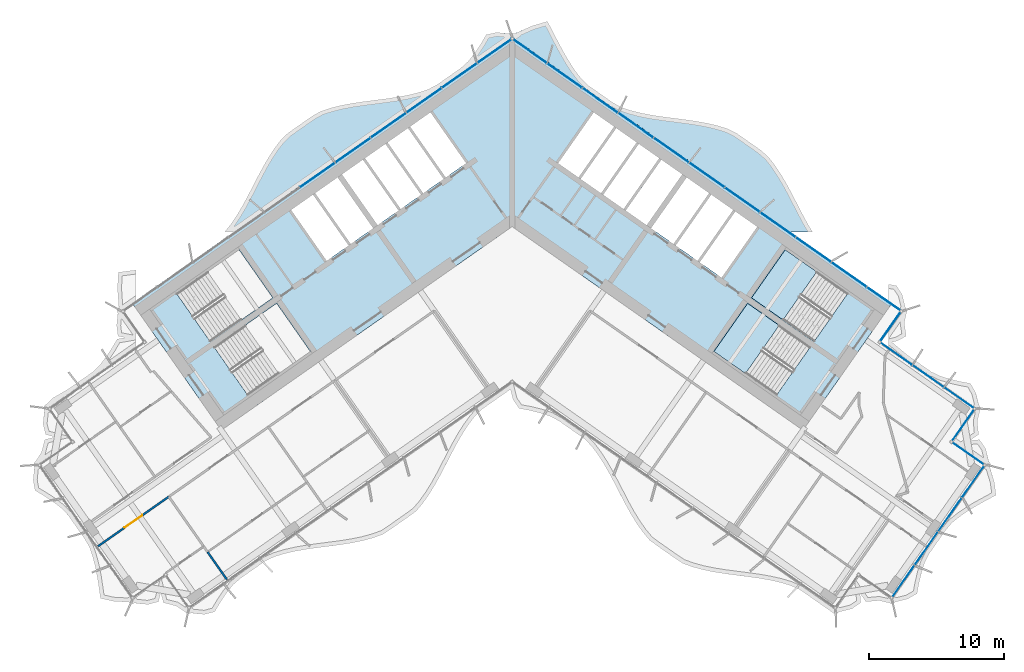
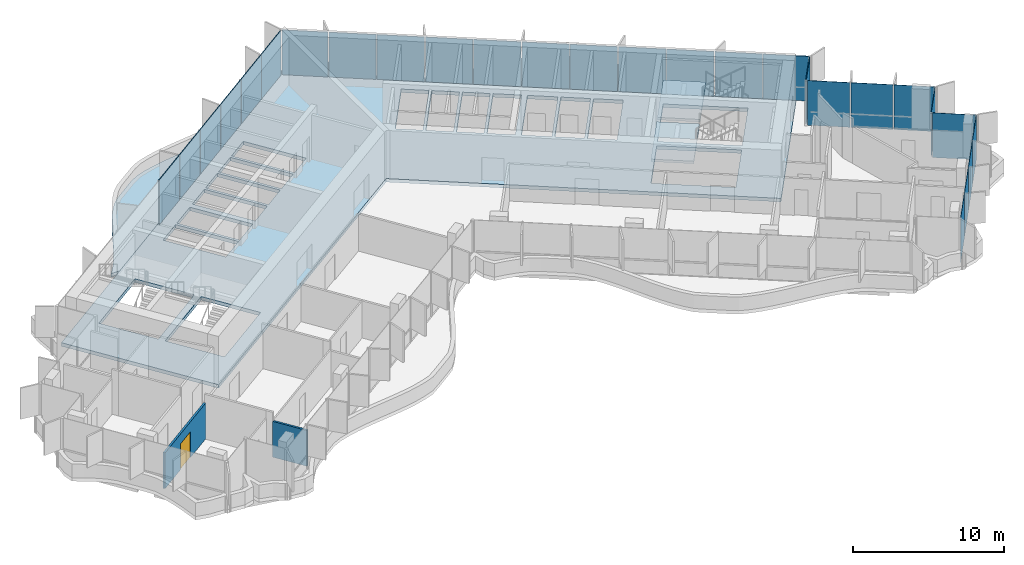
# One storey, part 11 of 21: 27 plates, 4 slabs, 2 walls, 1 door, 1 opening, 4 elements without a shape of their own.
"""IFC4 building model written with IfcOpenShell, lengths in metres."""

from ifc_helpers import new_model, si_unit, direction, frame, frame_2d, origin, origin_2d, place, context, subcontext, project, spatial, polyline, rectangle, outline, extrude, material, layer, layer_set, type_object, element, fill, aggregate, save


model = new_model("IFC4")

# Units and contexts
model_context = context("Model", 3, precision=1e-05, world=origin(), true_north=direction((0.0, 1.0)))
body_context = subcontext(model_context, "Body", "Model", "MODEL_VIEW")
ifc_project = project(units=[si_unit("LENGTHUNIT", "METRE"), si_unit("AREAUNIT", "SQUARE_METRE"), si_unit("VOLUMEUNIT", "CUBIC_METRE"), si_unit("PLANEANGLEUNIT", "RADIAN"), si_unit("MASSUNIT", "GRAM", prefix="KILO")], contexts=[model_context])

# Site, building, storey
site_placement = place(None, origin())
site = spatial("IfcSite", under=ifc_project, at=site_placement, CompositionType="ELEMENT")
building_placement = place(site_placement, origin())
building = spatial("IfcBuilding", under=site, at=building_placement, Name="Tel Ilan Convention Tower", CompositionType="ELEMENT")
storey_placement = place(building_placement, frame((0.0, 0.0, 206.10009765625)))
storey = spatial("IfcBuildingStorey", under=building, at=storey_placement, Name="L48", CompositionType="ELEMENT", Elevation=206.10009765625)

# Curtain wall, plates
ifc_material_1 = material(Name="Aluminium, bronze anodised", Category="aluminium")
curtain_wall_type_1 = type_object("IfcCurtainWallType", Name="CW4 STICK CURTAIN WALL, OFFICE TINTED GLASS", PredefinedType="NOTDEFINED", material=ifc_material_1)
curtain_wall_1_placement = place(storey_placement, origin())
curtain_wall_1 = element("IfcCurtainWall", 1, at=curtain_wall_1_placement, inside=storey, type_object=curtain_wall_type_1, Name="Curtain wall CW4-38.02", PredefinedType="NOTDEFINED")
ifc_material_2 = material(Name="Glass, bronze tinted, two-ply", Category="glass")
ifc_layer_1 = layer(ifc_material_2, 0.028076171875)
ifc_layer_set_1 = layer_set([ifc_layer_1], Name="CW GLASS PANEL 28")
plate_type_1 = type_object("IfcPlateType", Name="CW GLASS PANEL 28", PredefinedType="CURTAIN_PANEL", material=ifc_layer_set_1)
plate_1_placement = place(storey_placement, frame((28.956298828125, -27.51220703125, -0.000244140625), z_axis=(0.0, 0.0, 1.0), x_axis=(0.573576436351, 0.819152044289, 0.0)))
plate_1 = element("IfcPlate", 2, at=plate_1_placement, type_object=plate_type_1, Name="Glass panel", PredefinedType="CURTAIN_PANEL", context=body_context, shape_type="SweptSolid", body=[
    extrude(rectangle(XDim=2.89599609375, YDim=0.028076171875, at=origin_2d()), origin(), (0.0, 0.0, 1.0), 3.6201171875),
])
plate_2_placement = place(storey_placement, frame((30.6787109375, -25.05224609375, -0.000244140625), z_axis=(0.0, 0.0, 1.0), x_axis=(0.573576436351, 0.819152044289, 0.0)))
plate_2 = element("IfcPlate", 3, at=plate_2_placement, type_object=plate_type_1, Name="Glass panel", PredefinedType="CURTAIN_PANEL", context=body_context, shape_type="SweptSolid", body=[
    extrude(rectangle(XDim=2.989990234375, YDim=0.028076171875, at=origin_2d()), origin(), (0.0, 0.0, 1.0), 3.6201171875),
])
plate_3_placement = place(storey_placement, frame((32.42822265625, -22.553955078125, -0.000244140625), z_axis=(0.0, 0.0, 1.0), x_axis=(0.573576436351, 0.819152044289, 0.0)))
plate_3 = element("IfcPlate", 4, at=plate_3_placement, type_object=plate_type_1, Name="Glass panel", PredefinedType="CURTAIN_PANEL", context=body_context, shape_type="SweptSolid", body=[
    extrude(rectangle(XDim=2.989990234375, YDim=0.028076171875, at=origin_2d()), origin(), (0.0, 0.0, 1.0), 3.6201171875),
])
plate_4_placement = place(storey_placement, frame((34.150634765625, -20.093994140625, -0.000244140625), z_axis=(0.0, 0.0, 1.0), x_axis=(0.573576436351, 0.819152044289, 0.0)))
plate_4 = element("IfcPlate", 5, at=plate_4_placement, type_object=plate_type_1, Name="Glass panel", PredefinedType="CURTAIN_PANEL", context=body_context, shape_type="SweptSolid", body=[
    extrude(rectangle(XDim=2.89599609375, YDim=0.028076171875, at=origin_2d()), origin(), (0.0, 0.0, 1.0), 3.6201171875),
])
plate_5_placement = place(storey_placement, frame((33.7978515625, -18.0498046875, -0.000244140625), z_axis=(0.0, 0.0, 1.0), x_axis=(-0.819152044289, 0.573576436351, 0.0)))
plate_5 = element("IfcPlate", 6, at=plate_5_placement, type_object=plate_type_1, Name="Glass panel", PredefinedType="CURTAIN_PANEL", context=body_context, shape_type="SweptSolid", body=[
    extrude(rectangle(XDim=2.875, YDim=0.028076171875, at=origin_2d()), origin(), (0.0, 0.0, 1.0), 3.6201171875),
])
plate_6_placement = place(storey_placement, frame((33.419921875, -15.9072265625, -0.000244140625), z_axis=(0.0, 0.0, 1.0), x_axis=(0.573576436351, 0.819152044289, 0.0)))
plate_6 = element("IfcPlate", 7, at=plate_6_placement, type_object=plate_type_1, Name="Glass panel", PredefinedType="CURTAIN_PANEL", context=body_context, shape_type="SweptSolid", body=[
    extrude(rectangle(XDim=2.875, YDim=0.028076171875, at=origin_2d()), origin(), (0.0, 0.0, 1.0), 3.6201171875),
])
plate_7_placement = place(storey_placement, frame((33.12744140625, -13.918212890625, -0.000244140625), z_axis=(0.0, 0.0, 1.0), x_axis=(-0.819152044289, 0.573576436351, 0.0)))
plate_7 = element("IfcPlate", 8, at=plate_7_placement, type_object=plate_type_1, Name="Glass panel", PredefinedType="CURTAIN_PANEL", context=body_context, shape_type="SweptSolid", body=[
    extrude(rectangle(XDim=2.712646484375, YDim=0.028076171875, at=origin_2d()), origin(), (0.0, 0.0, 1.0), 3.6201171875),
])
plate_8_placement = place(storey_placement, frame((30.81787109375, -12.301025390625, -0.000244140625), z_axis=(0.0, 0.0, 1.0), x_axis=(-0.819152044289, 0.573576436351, 0.0)))
plate_8 = element("IfcPlate", 9, at=plate_8_placement, type_object=plate_type_1, Name="Glass panel", PredefinedType="CURTAIN_PANEL", context=body_context, shape_type="SweptSolid", body=[
    extrude(rectangle(XDim=2.806640625, YDim=0.028076171875, at=origin_2d()), origin(), (0.0, 0.0, 1.0), 3.6201171875),
])
plate_9_placement = place(storey_placement, frame((28.457763671875, -10.6484375, -0.000244140625), z_axis=(0.0, 0.0, 1.0), x_axis=(-0.819152044289, 0.573576436351, 0.0)))
plate_9 = element("IfcPlate", 10, at=plate_9_placement, type_object=plate_type_1, Name="Glass panel", PredefinedType="CURTAIN_PANEL", context=body_context, shape_type="SweptSolid", body=[
    extrude(rectangle(XDim=2.835693359375, YDim=0.028076171875, at=origin_2d()), origin(), (0.0, 0.0, 1.0), 3.6201171875),
])
aggregate(curtain_wall_1, [plate_1, plate_2, plate_3, plate_4, plate_5, plate_6, plate_7, plate_8, plate_9])

ifc_material_3 = material(Name="Aluminium, bronze anodised", Category="aluminium")
curtain_wall_type_2 = type_object("IfcCurtainWallType", Name="CW2 STICK CURTAIN WALL, SPANDREL PANELS", PredefinedType="NOTDEFINED", material=ifc_material_3)
curtain_wall_2_placement = place(storey_placement, origin())
curtain_wall_2 = element("IfcCurtainWall", 11, at=curtain_wall_2_placement, inside=storey, type_object=curtain_wall_type_2, Name="Curtain wall CW2-38.01", PredefinedType="NOTDEFINED")
ifc_material_4 = material(Name="Aluminium composite panel, bronze anodised", Category="aluminium")
ifc_layer_2 = layer(ifc_material_4, 0.06005859375)
ifc_layer_set_2 = layer_set([ifc_layer_2], Name="CW SPANDREL PANEL 60")
plate_type_2 = type_object("IfcPlateType", Name="CW SPANDREL PANEL 60", PredefinedType="CURTAIN_PANEL", material=ifc_layer_set_2)
plate_10_placement = place(storey_placement, frame((28.033935546875, -8.60546875, -0.000244140625), z_axis=(0.0, 0.0, 1.0), x_axis=(0.573576436351, 0.819152044289, 0.0)))
plate_10 = element("IfcPlate", 12, at=plate_10_placement, type_object=plate_type_2, Name="Spandrel panel", PredefinedType="CURTAIN_PANEL", context=body_context, shape_type="SweptSolid", body=[
    extrude(rectangle(XDim=2.658935546875, YDim=0.06005859375, at=origin_2d()), origin(), (0.0, 0.0, 1.0), 3.6201171875),
])
plate_11_placement = place(storey_placement, frame((27.5400390625, -6.587646484375, -0.000244140625), z_axis=(0.0, 0.0, 1.0), x_axis=(-0.819152044289, 0.573576436351, 0.0)))
plate_11 = element("IfcPlate", 13, at=plate_11_placement, type_object=plate_type_2, Name="Spandrel panel", PredefinedType="CURTAIN_PANEL", context=body_context, shape_type="SweptSolid", body=[
    extrude(rectangle(XDim=3.0439453125, YDim=0.06005859375, at=origin_2d()), origin(), (0.0, 0.0, 1.0), 3.6201171875),
])
plate_12_placement = place(storey_placement, frame((24.95263671875, -4.77587890625, -0.000244140625), z_axis=(0.0, 0.0, 1.0), x_axis=(-0.819152044289, 0.573576436351, 0.0)))
plate_12 = element("IfcPlate", 14, at=plate_12_placement, type_object=plate_type_2, Name="Spandrel panel", PredefinedType="CURTAIN_PANEL", context=body_context, shape_type="SweptSolid", body=[
    extrude(rectangle(XDim=3.15380859375, YDim=0.06005859375, at=origin_2d()), origin(), (0.0, 0.0, 1.0), 3.6201171875),
])
plate_13_placement = place(storey_placement, frame((22.31982421875, -2.9326171875, -0.000244140625), z_axis=(0.0, 0.0, 1.0), x_axis=(-0.819152044289, 0.573576436351, 0.0)))
plate_13 = element("IfcPlate", 15, at=plate_13_placement, type_object=plate_type_2, Name="Spandrel panel", PredefinedType="CURTAIN_PANEL", context=body_context, shape_type="SweptSolid", body=[
    extrude(rectangle(XDim=3.15380859375, YDim=0.06005859375, at=origin_2d()), origin(), (0.0, 0.0, 1.0), 3.6201171875),
])
plate_14_placement = place(storey_placement, frame((19.687255859375, -1.089111328125, -0.000244140625), z_axis=(0.0, 0.0, 1.0), x_axis=(-0.819152044289, 0.573576436351, 0.0)))
plate_14 = element("IfcPlate", 16, at=plate_14_placement, type_object=plate_type_2, Name="Spandrel panel", PredefinedType="CURTAIN_PANEL", context=body_context, shape_type="SweptSolid", body=[
    extrude(rectangle(XDim=3.15380859375, YDim=0.06005859375, at=origin_2d()), origin(), (0.0, 0.0, 1.0), 3.6201171875),
])
plate_15_placement = place(storey_placement, frame((17.0546875, 0.754150390625, -0.000244140625), z_axis=(0.0, 0.0, 1.0), x_axis=(-0.819152044289, 0.573576436351, 0.0)))
plate_15 = element("IfcPlate", 17, at=plate_15_placement, type_object=plate_type_2, Name="Spandrel panel", PredefinedType="CURTAIN_PANEL", context=body_context, shape_type="SweptSolid", body=[
    extrude(rectangle(XDim=3.15380859375, YDim=0.06005859375, at=origin_2d()), origin(), (0.0, 0.0, 1.0), 3.6201171875),
])
plate_16_placement = place(storey_placement, frame((14.422119140625, 2.59765625, -0.000244140625), z_axis=(0.0, 0.0, 1.0), x_axis=(-0.819152044289, 0.573576436351, 0.0)))
plate_16 = element("IfcPlate", 18, at=plate_16_placement, type_object=plate_type_2, Name="Spandrel panel", PredefinedType="CURTAIN_PANEL", context=body_context, shape_type="SweptSolid", body=[
    extrude(rectangle(XDim=3.15380859375, YDim=0.06005859375, at=origin_2d()), origin(), (0.0, 0.0, 1.0), 3.6201171875),
])
plate_17_placement = place(storey_placement, frame((11.789306640625, 4.44091796875, -0.000244140625), z_axis=(0.0, 0.0, 1.0), x_axis=(-0.819152044289, 0.573576436351, 0.0)))
plate_17 = element("IfcPlate", 19, at=plate_17_placement, type_object=plate_type_2, Name="Spandrel panel", PredefinedType="CURTAIN_PANEL", context=body_context, shape_type="SweptSolid", body=[
    extrude(rectangle(XDim=3.15380859375, YDim=0.06005859375, at=origin_2d()), origin(), (0.0, 0.0, 1.0), 3.6201171875),
])
plate_18_placement = place(storey_placement, frame((9.15673828125, 6.284423828125, -0.000244140625), z_axis=(0.0, 0.0, 1.0), x_axis=(-0.819152044289, 0.573576436351, 0.0)))
plate_18 = element("IfcPlate", 20, at=plate_18_placement, type_object=plate_type_2, Name="Spandrel panel", PredefinedType="CURTAIN_PANEL", context=body_context, shape_type="SweptSolid", body=[
    extrude(rectangle(XDim=3.15380859375, YDim=0.06005859375, at=origin_2d()), origin(), (0.0, 0.0, 1.0), 3.6201171875),
])
plate_19_placement = place(storey_placement, frame((6.524169921875, 8.127685546875, -0.000244140625), z_axis=(0.0, 0.0, 1.0), x_axis=(-0.819152044289, 0.573576436351, 0.0)))
plate_19 = element("IfcPlate", 21, at=plate_19_placement, type_object=plate_type_2, Name="Spandrel panel", PredefinedType="CURTAIN_PANEL", context=body_context, shape_type="SweptSolid", body=[
    extrude(rectangle(XDim=3.15380859375, YDim=0.06005859375, at=origin_2d()), origin(), (0.0, 0.0, 1.0), 3.6201171875),
])
plate_20_placement = place(storey_placement, frame((3.8916015625, 9.97119140625, -0.000244140625), z_axis=(0.0, 0.0, 1.0), x_axis=(-0.819152044289, 0.573576436351, 0.0)))
plate_20 = element("IfcPlate", 22, at=plate_20_placement, type_object=plate_type_2, Name="Spandrel panel", PredefinedType="CURTAIN_PANEL", context=body_context, shape_type="SweptSolid", body=[
    extrude(rectangle(XDim=3.15380859375, YDim=0.06005859375, at=origin_2d()), origin(), (0.0, 0.0, 1.0), 3.6201171875),
])
plate_21_placement = place(storey_placement, frame((1.303955078125, 11.782958984375, -0.000244140625), z_axis=(0.0, 0.0, 1.0), x_axis=(-0.819152044289, 0.573576436351, 0.0)))
plate_21 = element("IfcPlate", 23, at=plate_21_placement, type_object=plate_type_2, Name="Spandrel panel", PredefinedType="CURTAIN_PANEL", context=body_context, shape_type="SweptSolid", body=[
    extrude(rectangle(XDim=3.0439453125, YDim=0.06005859375, at=origin_2d()), origin(), (0.0, 0.0, 1.0), 3.6201171875),
])
plate_22_placement = place(storey_placement, frame((-1.303955078125, 11.782958984375, -0.000244140625), z_axis=(0.0, 0.0, 1.0), x_axis=(-0.819152044289, -0.573576436351, 0.0)))
plate_22 = element("IfcPlate", 24, at=plate_22_placement, type_object=plate_type_2, Name="Spandrel panel", PredefinedType="CURTAIN_PANEL", context=body_context, shape_type="SweptSolid", body=[
    extrude(rectangle(XDim=3.0439453125, YDim=0.06005859375, at=origin_2d()), origin(), (0.0, 0.0, 1.0), 3.6201171875),
])
plate_23_placement = place(storey_placement, frame((-3.8916015625, 9.97119140625, -0.000244140625), z_axis=(0.0, 0.0, 1.0), x_axis=(-0.819152044289, -0.573576436351, 0.0)))
plate_23 = element("IfcPlate", 25, at=plate_23_placement, type_object=plate_type_2, Name="Spandrel panel", PredefinedType="CURTAIN_PANEL", context=body_context, shape_type="SweptSolid", body=[
    extrude(rectangle(XDim=3.15380859375, YDim=0.06005859375, at=origin_2d()), origin(), (0.0, 0.0, 1.0), 3.6201171875),
])
plate_24_placement = place(storey_placement, frame((-6.524169921875, 8.127685546875, -0.000244140625), z_axis=(0.0, 0.0, 1.0), x_axis=(-0.819152044289, -0.573576436351, 0.0)))
plate_24 = element("IfcPlate", 26, at=plate_24_placement, type_object=plate_type_2, Name="Spandrel panel", PredefinedType="CURTAIN_PANEL", context=body_context, shape_type="SweptSolid", body=[
    extrude(rectangle(XDim=3.15380859375, YDim=0.06005859375, at=origin_2d()), origin(), (0.0, 0.0, 1.0), 3.6201171875),
])
plate_25_placement = place(storey_placement, frame((-9.15673828125, 6.284423828125, -0.000244140625), z_axis=(0.0, 0.0, 1.0), x_axis=(-0.819152044289, -0.573576436351, 0.0)))
plate_25 = element("IfcPlate", 27, at=plate_25_placement, type_object=plate_type_2, Name="Spandrel panel", PredefinedType="CURTAIN_PANEL", context=body_context, shape_type="SweptSolid", body=[
    extrude(rectangle(XDim=3.15380859375, YDim=0.06005859375, at=origin_2d()), origin(), (0.0, 0.0, 1.0), 3.6201171875),
])
plate_26_placement = place(storey_placement, frame((-11.789306640625, 4.44091796875, -0.000244140625), z_axis=(0.0, 0.0, 1.0), x_axis=(-0.819152044289, -0.573576436351, 0.0)))
plate_26 = element("IfcPlate", 28, at=plate_26_placement, type_object=plate_type_2, Name="Spandrel panel", PredefinedType="CURTAIN_PANEL", context=body_context, shape_type="SweptSolid", body=[
    extrude(rectangle(XDim=3.15380859375, YDim=0.06005859375, at=origin_2d()), origin(), (0.0, 0.0, 1.0), 3.6201171875),
])
plate_27_placement = place(storey_placement, frame((-14.422119140625, 2.59765625, -0.000244140625), z_axis=(0.0, 0.0, 1.0), x_axis=(-0.819152044289, -0.573576436351, 0.0)))
plate_27 = element("IfcPlate", 29, at=plate_27_placement, type_object=plate_type_2, Name="Spandrel panel", PredefinedType="CURTAIN_PANEL", context=body_context, shape_type="SweptSolid", body=[
    extrude(rectangle(XDim=3.15380859375, YDim=0.06005859375, at=origin_2d()), origin(), (0.0, 0.0, 1.0), 3.6201171875),
])
aggregate(curtain_wall_2, [plate_10, plate_11, plate_12, plate_13, plate_14, plate_15, plate_16, plate_17, plate_18, plate_19, plate_20, plate_21, plate_22, plate_23, plate_24, plate_25, plate_26, plate_27])

# Stair, slab
ifc_material_5 = material(Name="Concrete C40/50", Category="concrete")
stair_type = type_object("IfcStairType", Name="Pressurised Exit Stair 22 risers 177 mm", PredefinedType="HALF_TURN_STAIR", material=ifc_material_5)
stair_1_placement = place(storey_placement, origin())
stair_1 = element("IfcStair", 30, at=stair_1_placement, inside=storey, type_object=stair_type, Name="L48 Pressurised Stair S3", PredefinedType="HALF_TURN_STAIR")
ifc_material_6 = material(Name="Concrete C40/50", Category="concrete")
ifc_layer_3 = layer(ifc_material_6, 0.199951171875)
ifc_layer_set_3 = layer_set([ifc_layer_3], Name="Concrete Stair Landing 200 mm C40/50")
slab_type_1 = type_object("IfcSlabType", Name="Concrete Stair Landing 200 mm", PredefinedType="LANDING", material=ifc_layer_set_3)
slab_1_placement = place(storey_placement, frame((0.0, 0.0, 1.75)))
slab_1 = element("IfcSlab", 31, at=slab_1_placement, type_object=slab_type_1, Name="S3 landing 1", PredefinedType="LANDING", context=body_context, shape_type="SweptSolid", body=[
    extrude(outline(polyline([(22.561767578125, -4.566650390625), (20.226318359375, -2.931640625), (17.7314453125, -6.494873046875), (20.066650390625, -8.130126953125), (22.561767578125, -4.566650390625)])), origin(), (0.0, 0.0, 1.0), 0.199951171875),
])
aggregate(stair_1, [slab_1])

stair_2_placement = place(storey_placement, origin())
stair_2 = element("IfcStair", 32, at=stair_2_placement, inside=storey, type_object=stair_type, Name="L48 Pressurised Stair S4", PredefinedType="HALF_TURN_STAIR")
slab_2_placement = place(storey_placement, frame((0.0, 0.0, 1.75)))
slab_2 = element("IfcSlab", 33, at=slab_2_placement, type_object=slab_type_1, Name="S4 landing 1", PredefinedType="LANDING", context=body_context, shape_type="SweptSolid", body=[
    extrude(outline(polyline([(19.77978515625, -8.53955078125), (17.444580078125, -6.904541015625), (14.949462890625, -10.4677734375), (17.28466796875, -12.10302734375), (19.77978515625, -8.53955078125)])), origin(), (0.0, 0.0, 1.0), 0.199951171875),
])
aggregate(stair_2, [slab_2])

# Slabs
ifc_material_7 = material(Name="Concrete C40/50", Category="concrete")
ifc_layer_4 = layer(ifc_material_7, 0.280029296875)
ifc_layer_set_4 = layer_set([ifc_layer_4], Name="Core Floor Slab 280 mm C40/50")
slab_type_2 = type_object("IfcSlabType", Name="Core Floor Slab 280 mm C40/50", PredefinedType="FLOOR", material=ifc_layer_set_4)
slab_3_placement = place(storey_placement, frame((0.0, 0.0, -0.280029296875)))
element("IfcSlab", 34, at=slab_3_placement, inside=storey, type_object=slab_type_2, Name="L48 core floor 1", PredefinedType="FLOOR", context=body_context, shape_type="SweptSolid", body=[
    extrude(outline(polyline([(0.0, 12.818115234375), (28.1396484375, -6.885498046875), (21.54345703125, -16.3056640625), (0.0, -1.220703125), (-21.54345703125, -16.3056640625), (-28.1396484375, -6.885498046875), (-13.013916015625, 3.705810546875), (-6.48876953125, 8.274658203125), (-4.6650390625, 9.5517578125), (-0.2412109375, 12.6494140625), (0.0, 12.818115234375)]), holes=[polyline([(-14.949462890625, -10.4677734375), (-17.444580078125, -6.904541015625), (-22.072021484375, -10.144775390625), (-19.5771484375, -13.7080078125), (-14.949462890625, -10.4677734375)]), polyline([(-17.7314453125, -6.494873046875), (-20.226318359375, -2.931640625), (-24.85400390625, -6.171875), (-22.35888671875, -9.735107421875), (-17.7314453125, -6.494873046875)]), polyline([(-14.75048828125, 1.14697265625), (-16.368408203125, 0.01416015625), (-13.729736328125, -3.75390625), (-12.112060546875, -2.62109375), (-14.75048828125, 1.14697265625)]), polyline([(-12.927734375, 2.423095703125), (-14.586669921875, 1.26171875), (-11.947998046875, -2.506591796875), (-10.289306640625, -1.344970703125), (-12.927734375, 2.423095703125)]), polyline([(-11.053955078125, 3.735107421875), (-12.60009765625, 2.652587890625), (-9.961669921875, -1.115478515625), (-8.41552734375, -0.032958984375), (-11.053955078125, 3.735107421875)]), polyline([(-9.385009765625, 4.90380859375), (-10.89013671875, 3.849853515625), (-8.251708984375, 0.081787109375), (-6.74658203125, 1.1357421875), (-9.385009765625, 4.90380859375)]), polyline([(-7.716064453125, 6.072509765625), (-9.22119140625, 5.0185546875), (-6.582763671875, 1.25048828125), (-5.077392578125, 2.304443359375), (-7.716064453125, 6.072509765625)]), polyline([(-6.046875, 7.2412109375), (-7.552001953125, 6.187255859375), (-4.913818359375, 2.419189453125), (-3.408447265625, 3.47314453125), (-6.046875, 7.2412109375)]), polyline([(4.913818359375, 2.419189453125), (7.552001953125, 6.187255859375), (6.046875, 7.2412109375), (3.408447265625, 3.47314453125), (4.913818359375, 2.419189453125)]), polyline([(17.444580078125, -6.904541015625), (14.949462890625, -10.4677734375), (19.5771484375, -13.7080078125), (22.072021484375, -10.144775390625), (17.444580078125, -6.904541015625)]), polyline([(20.226318359375, -2.931640625), (17.7314453125, -6.494873046875), (22.35888671875, -9.735107421875), (24.85400390625, -6.171875), (20.226318359375, -2.931640625)]), polyline([(15.511474609375, -5.00146484375), (18.14990234375, -1.2333984375), (16.531982421875, -0.1005859375), (13.8935546875, -3.86865234375), (15.511474609375, -5.00146484375)]), polyline([(13.729736328125, -3.75390625), (16.368408203125, 0.01416015625), (14.75048828125, 1.14697265625), (12.112060546875, -2.62109375), (13.729736328125, -3.75390625)]), polyline([(11.947998046875, -2.506591796875), (14.586669921875, 1.26171875), (12.927734375, 2.423095703125), (10.289306640625, -1.344970703125), (11.947998046875, -2.506591796875)]), polyline([(9.961669921875, -1.115478515625), (12.60009765625, 2.652587890625), (11.053955078125, 3.735107421875), (8.41552734375, -0.032958984375), (9.961669921875, -1.115478515625)]), polyline([(6.74658203125, 1.1357421875), (8.251708984375, 0.081787109375), (10.89013671875, 3.849853515625), (9.385009765625, 4.90380859375), (6.74658203125, 1.1357421875)]), polyline([(5.077392578125, 2.304443359375), (6.582763671875, 1.25048828125), (9.22119140625, 5.0185546875), (7.716064453125, 6.072509765625), (5.077392578125, 2.304443359375)])]), origin(), (0.0, 0.0, 1.0), 0.280029296875),
])
ifc_material_8 = material(Name="Concrete C40/50", Category="concrete")
ifc_layer_5 = layer(ifc_material_8, 0.280029296875)
ifc_layer_set_5 = layer_set([ifc_layer_5], Name="Edge Ledge Slab 280 mm C40/50")
slab_type_3 = type_object("IfcSlabType", Name="Edge Ledge Slab 280 mm C40/50", PredefinedType="FLOOR", material=ifc_layer_set_5)
slab_4_placement = place(storey_placement, frame((0.0, 0.0, -0.280029296875)))
element("IfcSlab", 35, at=slab_4_placement, inside=storey, type_object=slab_type_3, Name="L48 edge ledge 2", PredefinedType="FLOOR", context=body_context, shape_type="SweptSolid", body=[
    extrude(outline(polyline([(-19.60009765625, 1.004150390625), (-19.217529296875, 1.741943359375), (-18.83642578125, 2.481689453125), (-18.44677734375, 3.209228515625), (-18.0390625, 3.910888671875), (-17.604736328125, 4.574951171875), (-17.13671875, 5.190185546875), (-16.6015625, 5.71044921875), (-14.791748046875, 6.977783203125), (-14.1416015625, 7.33349609375), (-13.41064453125, 7.573486328125), (-12.644287109375, 7.76318359375), (-11.849853515625, 7.91259765625), (-11.03564453125, 8.033935546875), (-10.211181640625, 8.140380859375), (-9.385986328125, 8.24609375), (-8.570068359375, 8.36474609375), (-7.7724609375, 8.509765625), (-7.002197265625, 8.693603515625), (-6.26611328125, 8.926513671875), (-5.601806640625, 9.261962890625), (-3.7919921875, 10.529296875), (-3.2421875, 11.0283203125), (-2.769287109375, 11.63671875), (-2.3310546875, 12.294921875), (-1.919921875, 12.991943359375), (-1.14208984375, 13.1650390625), (-0.172119140625, 13.06396484375), (-0.168701171875, 13.05908203125), (-0.11474609375, 13.09521484375), (0.0, 13.1181640625), (0.11474609375, 13.09521484375), (0.168701171875, 13.05908203125), (0.172119140625, 13.06396484375), (1.4794921875, 13.647216796875), (2.6162109375, 13.986328125), (3.000244140625, 13.250732421875), (3.38134765625, 12.510986328125), (3.770263671875, 11.7822265625), (4.176513671875, 11.078369140625), (4.608642578125, 10.41162109375), (5.074462890625, 9.792724609375), (5.601806640625, 9.261962890625), (7.411865234375, 7.99462890625), (8.054931640625, 7.62890625), (8.783447265625, 7.385498046875), (9.547607421875, 7.19287109375), (10.340576171875, 7.041015625), (11.15380859375, 6.91845703125), (11.977783203125, 6.811279296875), (12.80322265625, 6.7060546875), (13.6201171875, 6.588623046875), (14.419189453125, 6.44580078125), (15.191650390625, 6.2646484375), (15.929931640625, 6.03515625), (16.6015625, 5.71044921875), (18.41162109375, 4.443115234375), (18.96826171875, 3.9541015625), (19.44384765625, 3.34912109375), (19.884033203125, 2.69384765625), (20.296142578125, 1.998291015625), (20.688720703125, 1.27490234375), (21.07080078125, 0.53662109375), (21.4521484375, -0.202880859375), (21.8427734375, -0.928955078125), (22.25341796875, -1.631591796875), (20.63623046875, -1.631591796875), (0.0, 12.818115234375), (-20.63623046875, -1.631591796875), (-21.30126953125, -1.631591796875), (-20.849609375, -1.0634765625), (-20.4072265625, -0.4111328125), (-19.993408203125, 0.281982421875), (-19.60009765625, 1.004150390625)])), origin(), (0.0, 0.0, 1.0), 0.280029296875),
])

# Wall, opening, door
ifc_material_9 = material(Name="Plasterboard on Steel Studs", Category="steel")
ifc_layer_6 = layer(ifc_material_9, 0.14990234375)
ifc_layer_set_6 = layer_set([ifc_layer_6], Name="Fire-rated Partition 150 EI 60")
wall_type = type_object("IfcWallType", Name="Fire-rated Partition 150 EI 60", PredefinedType="PARTITIONING", material=ifc_layer_set_6)
wall_1_placement = place(storey_placement, frame((-25.42431640625, -21.220458984375, 0.0), z_axis=(0.0, 0.0, 1.0), x_axis=(-0.819154877477, -0.573572390118, 0.0)))
wall_1 = element("IfcWall", 36, at=wall_1_placement, inside=storey, type_object=wall_type, Name="Partition 013", PredefinedType="PARTITIONING", context=body_context, shape_type="SweptSolid", body=[
    extrude(rectangle(XDim=6.402099609375, YDim=0.14990234375, at=frame_2d((3.201171875, 0.0))), origin(), (0.0, 0.0, 1.0), 2.89990234375),
])
opening_placement = place(wall_1_placement, frame((2.40087890625, 0.0, 0.0)))
opening = element("IfcOpeningElement", 37, at=opening_placement, cuts=wall_1, Name="Opening L48-006", PredefinedType="OPENING", context=body_context, shape_type="SweptSolid", body=[
    extrude(rectangle(XDim=1.60009765625, YDim=2.10009765625, at=frame_2d((0.800048828125, 1.050048828125))), frame((0.0, 0.0849609375, 0.0), z_axis=(0.0, -1.0, 0.0), x_axis=(1.0, 0.0, 0.0)), (0.0, 0.0, 1.0), 0.169921875),
])
ifc_material_10 = material(Name="Timber Door Leaf in Steel Frame", Category="steel")
door_type = type_object("IfcDoorType", Name="Tenant Suite Entrance Fire Door 1600x2100", OperationType="NOTDEFINED", PredefinedType="DOOR", material=ifc_material_10)
door_placement = place(opening_placement, origin())
door = element("IfcDoor", 38, at=door_placement, inside=storey, type_object=door_type, Name="Door L48-006", OperationType="DOUBLE_DOOR_SINGLE_SWING", OverallHeight=2.10009765625, OverallWidth=1.60009765625, PredefinedType="DOOR", context=body_context, shape_type="SweptSolid", body=[
    extrude(rectangle(XDim=1.60009765625, YDim=2.10009765625, at=frame_2d((0.800048828125, 1.050048828125))), frame((0.0, 0.02490234375, 0.0), z_axis=(0.0, -1.0, 0.0), x_axis=(1.0, 0.0, 0.0)), (0.0, 0.0, 1.0), 0.050048828125),
])
fill(opening, door)

# Wall
wall_2_placement = place(storey_placement, frame((-21.124267578125, -27.365234375, 0.0), z_axis=(0.0, 0.0, 1.0), x_axis=(-0.573560689761, 0.819163069945, 0.0)))
element("IfcWall", 39, at=wall_2_placement, inside=storey, type_object=wall_type, Name="Partition 049", PredefinedType="PARTITIONING", context=body_context, shape_type="SweptSolid", body=[
    extrude(rectangle(XDim=2.4990234375, YDim=0.14990234375, at=frame_2d((1.24951171875, 0.0))), origin(), (0.0, 0.0, 1.0), 2.89990234375),
])

save(model, "model.ifc")
